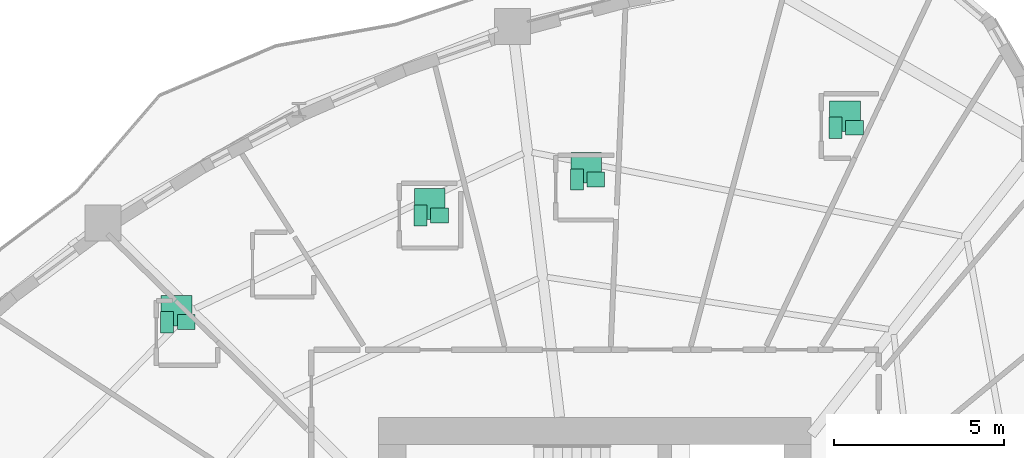
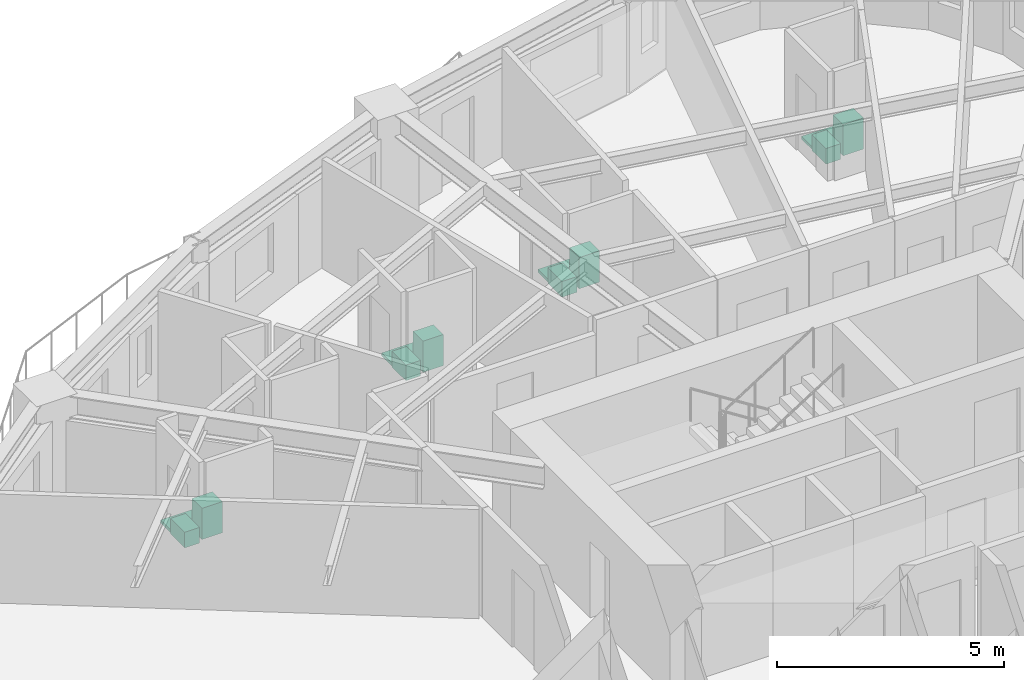
# One storey, part 14 of 14: 12 sanitary terminals.
"""IFC4 building model written with IfcOpenShell, lengths in metres."""

from ifc_helpers import new_model, si_unit, direction, frame, origin, origin_2d, place, context, subcontext, project, spatial, rectangle, extrude, source, transform, mapped, material, type_object, element, save


model = new_model("IFC4")

# Units and contexts
model_context = context("Model", 3, precision=1e-05, world=origin(), true_north=direction((0.0, 1.0)))
body_context = subcontext(model_context, "Body", "Model", "MODEL_VIEW")
ifc_project = project(units=[si_unit("LENGTHUNIT", "METRE"), si_unit("AREAUNIT", "SQUARE_METRE"), si_unit("VOLUMEUNIT", "CUBIC_METRE"), si_unit("PLANEANGLEUNIT", "RADIAN"), si_unit("MASSUNIT", "GRAM", prefix="KILO")], contexts=[model_context])

# Site, building, storey
site_placement = place(None, origin())
site = spatial("IfcSite", under=ifc_project, at=site_placement, CompositionType="ELEMENT")
building_placement = place(site_placement, origin())
building = spatial("IfcBuilding", under=site, at=building_placement, Name="Qafzar Sky-Pleat Residences", CompositionType="ELEMENT")
storey_placement = place(building_placement, frame((0.0, 0.0, 11.0)))
storey = spatial("IfcBuildingStorey", under=building, at=storey_placement, Name="L02", CompositionType="ELEMENT", Elevation=11.0)

# Sanitary terminals
ifc_material_1 = material(Name="Vitreous china sanitaryware")
sanitary_terminal_type_1 = type_object("IfcSanitaryTerminalType", Name="SAN-WC-PAN", PredefinedType="TOILETPAN", material=ifc_material_1)
shared_shape_1 = source(origin(), body_context, "Body", "SweptSolid", [
    extrude(rectangle(XDim=0.3798828125, YDim=0.6201171875, at=origin_2d()), origin(), (0.0, 0.0, 1.0), 0.419921875),
])
for number, where, z_axis, x_axis, name in (
    (1, (37.415283203125, 43.100830078125, 0.0), (0.0, 0.0, 1.0), (1.0, 0.0, 0.0), "L02 En-suite Bathroom 7 WC Pan"),
    (2, (29.819091796875, 41.581787109375, 0.0), (0.0, 0.0, 1.0), (1.0, 0.0, 0.0), "L02 En-suite Bathroom 8 WC Pan"),
    (3, (25.22607421875, 40.52001953125, 0.0), (0.0, 0.0, 1.0), (1.0, 0.0, 0.0), "L02 En-suite Bathroom 9 WC Pan"),
    (4, (17.787109375, 37.391357421875, 0.0), (0.0, 0.0, 1.0), (1.0, 0.0, 0.0), "L02 En-suite Bathroom 10 WC Pan"),
):
    element("IfcSanitaryTerminal", number, at=place(storey_placement, frame(where, z_axis=z_axis, x_axis=x_axis)), inside=storey, type_object=sanitary_terminal_type_1, Name=name, PredefinedType="TOILETPAN", context=body_context, shape_type="MappedRepresentation", body=[
        mapped(shared_shape_1, transform((0.0, 0.0, 0.0), x_axis=(1.0, 0.0, 0.0), y_axis=(0.0, 1.0, 0.0), z_axis=(0.0, 0.0, 1.0), scale=1.0)),
    ])
sanitary_terminal_type_2 = type_object("IfcSanitaryTerminalType", Name="SAN-BASIN", PredefinedType="WASHHANDBASIN", material=ifc_material_1)
shared_shape_2 = source(origin(), body_context, "Body", "SweptSolid", [
    extrude(rectangle(XDim=0.52001953125, YDim=0.43994140625, at=origin_2d()), origin(), (0.0, 0.0, 1.0), 0.840087890625),
])
for number, where, z_axis, x_axis, name in (
    (5, (37.975341796875, 43.100830078125, 0.0), (0.0, 0.0, 1.0), (1.0, 0.0, 0.0), "L02 En-suite Bathroom 7 Pedestal Washbasin"),
    (6, (30.37890625, 41.581787109375, 0.0), (0.0, 0.0, 1.0), (1.0, 0.0, 0.0), "L02 En-suite Bathroom 8 Pedestal Washbasin"),
    (7, (25.785888671875, 40.52001953125, 0.0), (0.0, 0.0, 1.0), (1.0, 0.0, 0.0), "L02 En-suite Bathroom 9 Pedestal Washbasin"),
    (8, (18.346923828125, 37.391357421875, 0.0), (0.0, 0.0, 1.0), (1.0, 0.0, 0.0), "L02 En-suite Bathroom 10 Pedestal Washbasin"),
):
    element("IfcSanitaryTerminal", number, at=place(storey_placement, frame(where, z_axis=z_axis, x_axis=x_axis)), inside=storey, type_object=sanitary_terminal_type_2, Name=name, PredefinedType="WASHHANDBASIN", context=body_context, shape_type="MappedRepresentation", body=[
        mapped(shared_shape_2, transform((0.0, 0.0, 0.0), x_axis=(1.0, 0.0, 0.0), y_axis=(0.0, 1.0, 0.0), z_axis=(0.0, 0.0, 1.0), scale=1.0)),
    ])
ifc_material_2 = material(Name="Vitreous china and acrylic tray")
sanitary_terminal_type_3 = type_object("IfcSanitaryTerminalType", Name="SAN-SHOWER", PredefinedType="SHOWER", material=ifc_material_2)
shared_shape_3 = source(origin(), body_context, "Body", "SweptSolid", [
    extrude(rectangle(XDim=0.89990234375, YDim=0.89990234375, at=origin_2d()), origin(), (0.0, 0.0, 1.0), 0.080078125),
])
for number, where, z_axis, x_axis, name in (
    (9, (37.6953125, 43.44091796875, 0.0), (0.0, 0.0, 1.0), (1.0, 0.0, 0.0), "L02 En-suite Bathroom 7 Walk-In Shower"),
    (10, (30.09912109375, 41.921630859375, 0.0), (0.0, 0.0, 1.0), (1.0, 0.0, 0.0), "L02 En-suite Bathroom 8 Walk-In Shower"),
    (11, (25.506103515625, 40.860107421875, 0.0), (0.0, 0.0, 1.0), (1.0, 0.0, 0.0), "L02 En-suite Bathroom 9 Walk-In Shower"),
    (12, (18.06689453125, 37.7314453125, 0.0), (0.0, 0.0, 1.0), (1.0, 0.0, 0.0), "L02 En-suite Bathroom 10 Walk-In Shower"),
):
    element("IfcSanitaryTerminal", number, at=place(storey_placement, frame(where, z_axis=z_axis, x_axis=x_axis)), inside=storey, type_object=sanitary_terminal_type_3, Name=name, PredefinedType="SHOWER", context=body_context, shape_type="MappedRepresentation", body=[
        mapped(shared_shape_3, transform((0.0, 0.0, 0.0), x_axis=(1.0, 0.0, 0.0), y_axis=(0.0, 1.0, 0.0), z_axis=(0.0, 0.0, 1.0), scale=1.0)),
    ])

save(model, "model.ifc")
